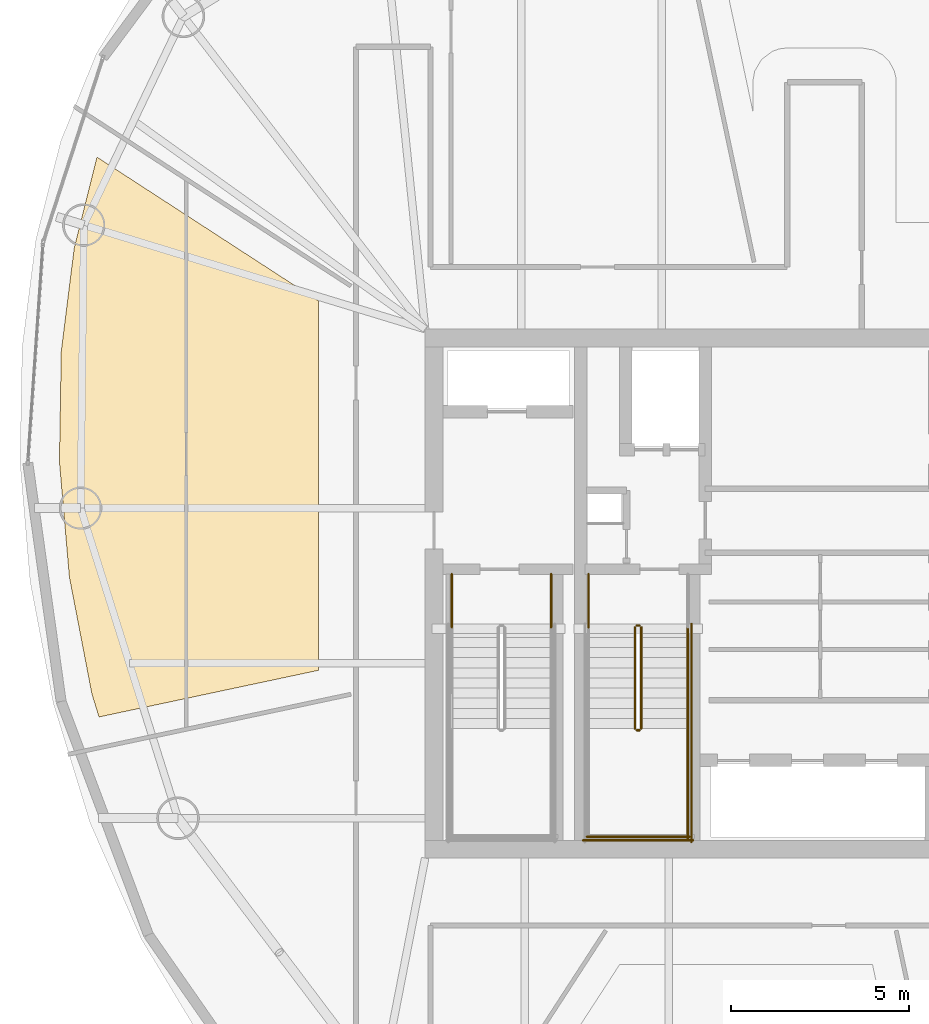
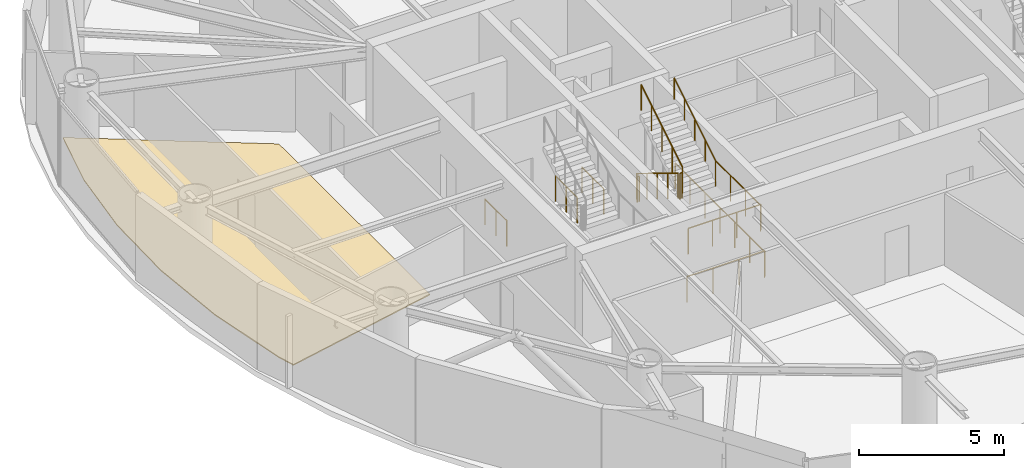
# One storey, part 20 of 22: 12 railings, 1 covering.
"""IFC4 building model written with IfcOpenShell, lengths in metres."""

from ifc_helpers import new_model, si_unit, direction, frame, origin, origin_2d, place, context, subcontext, project, spatial, polyline, circle, outline, extrude, material, layer, layer_set, type_object, element, save


model = new_model("IFC4")

# Units and contexts
model_context = context("Model", 3, precision=1e-05, world=origin(), true_north=direction((0.0, 1.0)))
body_context = subcontext(model_context, "Body", "Model", "MODEL_VIEW")
ifc_project = project(units=[si_unit("LENGTHUNIT", "METRE"), si_unit("AREAUNIT", "SQUARE_METRE"), si_unit("VOLUMEUNIT", "CUBIC_METRE"), si_unit("PLANEANGLEUNIT", "RADIAN"), si_unit("MASSUNIT", "GRAM", prefix="KILO")], contexts=[model_context])

# Site, building, storey
site_placement = place(None, origin())
site = spatial("IfcSite", under=ifc_project, at=site_placement, CompositionType="ELEMENT")
building_placement = place(site_placement, origin())
building = spatial("IfcBuilding", under=site, at=building_placement, Name="Bramvorn Convention Spire", CompositionType="ELEMENT")
storey_placement = place(building_placement, frame((0.0, 0.0, 221.25)))
storey = spatial("IfcBuildingStorey", under=building, at=storey_placement, Name="L56", CompositionType="ELEMENT", Elevation=221.25)

# Covering
ifc_material_1 = material(Name="Calcium-Sulphate Raised Access Office Floor", Category="steel")
ifc_layer = layer(ifc_material_1, 0.044921875)
ifc_layer_set = layer_set([ifc_layer], Name="Calcium-Sulphate Raised Access Office Floor - FLR-RAISED-45")
covering_type = type_object("IfcCoveringType", Name="FLR-RAISED-45", PredefinedType="FLOORING", material=ifc_layer_set)
covering_placement = place(storey_placement, origin())
element("IfcCovering", 1, at=covering_placement, inside=storey, type_object=covering_type, Name="L56 Associate Office Chamber 4 4 raised floor finish", PredefinedType="FLOORING", context=body_context, shape_type="SweptSolid", body=[
    extrude(outline(polyline([(17.36181640625, 23.180419921875), (17.56396484375, 22.525146484375), (23.75, 23.840087890625), (23.75, 34.240478515625), (17.5078125, 38.294189453125), (16.864501953125, 35.72607421875), (16.5, 32.822021484375), (16.448486328125, 29.7119140625), (16.72900390625, 26.4697265625), (17.36181640625, 23.180419921875)])), origin(), (0.0, 0.0, 1.0), 0.044921875),
])

# Railings
ifc_material_2 = material(Name="Painted Steel Balustrade & Guardrail", Category="steel")
railing_type_1 = type_object("IfcRailingType", Name="RL-STAIR-GUARD-1100", PredefinedType="GUARDRAIL", material=ifc_material_2)
for number, where, name in (
    (2, (27.5, 26.550048828125, 0.0), "L56 ST1 stair guard 8"),
    (3, (30.300048828125, 26.550048828125, 0.0), "L56 ST1 stair guard 9"),
):
    element("IfcRailing", number, at=place(storey_placement, frame(where)), inside=storey, type_object=railing_type_1, Name=name, PredefinedType="GUARDRAIL", context=body_context, shape_type="SweptSolid", body=[
        extrude(circle(Radius=0.02392578125, at=origin_2d()), frame((0.0, 0.0, 1.076171875), z_axis=(0.0, -1.0, 0.0), x_axis=(1.0, 0.0, 0.0)), (0.0, 0.0, 1.0), 1.5),
        extrude(circle(Radius=0.02099609375, at=origin_2d()), origin(), (0.0, 0.0, 1.0), 1.052001953125),
        extrude(circle(Radius=0.02099609375, at=origin_2d()), frame((0.0, -0.75, 0.0)), (0.0, 0.0, 1.0), 1.052001953125),
        extrude(circle(Radius=0.02099609375, at=origin_2d()), frame((0.0, -1.5, 0.0)), (0.0, 0.0, 1.0), 1.052001953125),
    ])
railing_1_placement = place(storey_placement, frame((32.659912109375, 25.050048828125, 0.175048828125)))
element("IfcRailing", 4, at=railing_1_placement, inside=storey, type_object=railing_type_1, Name="L56 ST3 stair guard 1", PredefinedType="GUARDRAIL", context=body_context, shape_type="SweptSolid", body=[
    extrude(circle(Radius=0.02392578125, at=origin_2d()), frame((0.0, 0.0, 1.076171875), z_axis=(0.0, -0.852179220489, 0.52325001306), x_axis=(1.0, 0.0, 0.0)), (0.0, 0.0, 1.0), 3.344482421875),
    extrude(circle(Radius=0.02099609375, at=origin_2d()), origin(), (0.0, 0.0, 1.0), 1.052001953125),
    extrude(circle(Radius=0.02099609375, at=origin_2d()), frame((0.0, -0.71240234375, 0.4375)), (0.0, 0.0, 1.0), 1.052001953125),
    extrude(circle(Radius=0.02099609375, at=origin_2d()), frame((0.0, -1.425048828125, 0.875)), (0.0, 0.0, 1.0), 1.052001953125),
    extrude(circle(Radius=0.02099609375, at=origin_2d()), frame((0.0, -2.1376953125, 1.3125)), (0.0, 0.0, 1.0), 1.052001953125),
    extrude(circle(Radius=0.02099609375, at=origin_2d()), frame((0.0, -2.85009765625, 1.75)), (0.0, 0.0, 1.0), 1.052001953125),
])
railing_2_placement = place(storey_placement, frame((32.7099609375, 22.14990234375, 1.925048828125)))
element("IfcRailing", 5, at=railing_2_placement, inside=storey, type_object=railing_type_1, Name="L56 ST3 stair guard 2", PredefinedType="GUARDRAIL", context=body_context, shape_type="SweptSolid", body=[
    extrude(circle(Radius=0.02392578125, at=origin_2d()), frame((0.0, 0.0, 1.076171875), z_axis=(1.0, 0.0, 0.0), x_axis=(0.0, 1.0, 0.0)), (0.0, 0.0, 1.0), 0.080078125),
    extrude(circle(Radius=0.02099609375, at=origin_2d()), origin(), (0.0, 0.0, 1.0), 1.052001953125),
    extrude(circle(Radius=0.02099609375, at=origin_2d()), frame((0.080078125, 0.0, 0.0)), (0.0, 0.0, 1.0), 1.052001953125),
])
railing_3_placement = place(storey_placement, frame((34.14990234375, 22.199951171875, 1.925048828125)))
element("IfcRailing", 6, at=railing_3_placement, inside=storey, type_object=railing_type_1, Name="L56 ST3 stair guard 4", PredefinedType="GUARDRAIL", context=body_context, shape_type="SweptSolid", body=[
    extrude(circle(Radius=0.02392578125, at=origin_2d()), frame((0.0, 0.0, 1.076171875), z_axis=(0.0, -1.0, 0.0), x_axis=(1.0, 0.0, 0.0)), (0.0, 0.0, 1.0), 3.099853515625),
    extrude(circle(Radius=0.02099609375, at=origin_2d()), origin(), (0.0, 0.0, 1.0), 1.052001953125),
    extrude(circle(Radius=0.02099609375, at=origin_2d()), frame((0.0, -1.033203125, 0.0)), (0.0, 0.0, 1.0), 1.052001953125),
    extrude(circle(Radius=0.02099609375, at=origin_2d()), frame((0.0, -2.066650390625, 0.0)), (0.0, 0.0, 1.0), 1.052001953125),
    extrude(circle(Radius=0.02099609375, at=origin_2d()), frame((0.0, -3.099853515625, 0.0)), (0.0, 0.0, 1.0), 1.052001953125),
])
railing_4_placement = place(storey_placement, frame((31.300048828125, 19.14990234375, 1.925048828125)))
element("IfcRailing", 7, at=railing_4_placement, inside=storey, type_object=railing_type_1, Name="L56 ST3 stair guard 5", PredefinedType="GUARDRAIL", context=body_context, shape_type="SweptSolid", body=[
    extrude(circle(Radius=0.02392578125, at=origin_2d()), frame((0.0, 0.0, 1.076171875), z_axis=(1.0, 0.0, 0.0), x_axis=(0.0, 1.0, 0.0)), (0.0, 0.0, 1.0), 2.89990234375),
    extrude(circle(Radius=0.02099609375, at=origin_2d()), origin(), (0.0, 0.0, 1.0), 1.052001953125),
    extrude(circle(Radius=0.02099609375, at=origin_2d()), frame((0.966552734375, 0.0, 0.0)), (0.0, 0.0, 1.0), 1.052001953125),
    extrude(circle(Radius=0.02099609375, at=origin_2d()), frame((1.933349609375, 0.0, 0.0)), (0.0, 0.0, 1.0), 1.052001953125),
    extrude(circle(Radius=0.02099609375, at=origin_2d()), frame((2.89990234375, 0.0, 0.0)), (0.0, 0.0, 1.0), 1.052001953125),
])
railing_5_placement = place(storey_placement, frame((32.840087890625, 22.199951171875, 2.10009765625)))
element("IfcRailing", 8, at=railing_5_placement, inside=storey, type_object=railing_type_1, Name="L56 ST3 stair guard 6", PredefinedType="GUARDRAIL", context=body_context, shape_type="SweptSolid", body=[
    extrude(circle(Radius=0.02392578125, at=origin_2d()), frame((0.0, 0.0, 1.076171875), z_axis=(0.0, 0.852179220489, 0.52325001306), x_axis=(-1.0, 0.0, 0.0)), (0.0, 0.0, 1.0), 3.344482421875),
    extrude(circle(Radius=0.02099609375, at=origin_2d()), origin(), (0.0, 0.0, 1.0), 1.052001953125),
    extrude(circle(Radius=0.02099609375, at=origin_2d()), frame((0.0, 0.71240234375, 0.4375)), (0.0, 0.0, 1.0), 1.052001953125),
    extrude(circle(Radius=0.02099609375, at=origin_2d()), frame((0.0, 1.425048828125, 0.875)), (0.0, 0.0, 1.0), 1.052001953125),
    extrude(circle(Radius=0.02099609375, at=origin_2d()), frame((0.0, 2.1376953125, 1.3125)), (0.0, 0.0, 1.0), 1.052001953125),
    extrude(circle(Radius=0.02099609375, at=origin_2d()), frame((0.0, 2.85009765625, 1.75)), (0.0, 0.0, 1.0), 1.052001953125),
])
railing_6_placement = place(storey_placement, frame((32.7099609375, 25.10009765625, 0.0)))
element("IfcRailing", 9, at=railing_6_placement, inside=storey, type_object=railing_type_1, Name="L56 ST3 stair guard 7", PredefinedType="GUARDRAIL", context=body_context, shape_type="SweptSolid", body=[
    extrude(circle(Radius=0.02392578125, at=origin_2d()), frame((0.0, 0.0, 1.076171875), z_axis=(1.0, 0.0, 0.0), x_axis=(0.0, 1.0, 0.0)), (0.0, 0.0, 1.0), 0.080078125),
    extrude(circle(Radius=0.02099609375, at=origin_2d()), origin(), (0.0, 0.0, 1.0), 1.052001953125),
    extrude(circle(Radius=0.02099609375, at=origin_2d()), frame((0.080078125, 0.0, 0.0)), (0.0, 0.0, 1.0), 1.052001953125),
])
railing_7_placement = place(storey_placement, frame((31.35009765625, 26.550048828125, 0.0)))
element("IfcRailing", 10, at=railing_7_placement, inside=storey, type_object=railing_type_1, Name="L56 ST3 stair guard 8", PredefinedType="GUARDRAIL", context=body_context, shape_type="SweptSolid", body=[
    extrude(circle(Radius=0.02392578125, at=origin_2d()), frame((0.0, 0.0, 1.076171875), z_axis=(0.0, -1.0, 0.0), x_axis=(1.0, 0.0, 0.0)), (0.0, 0.0, 1.0), 1.5),
    extrude(circle(Radius=0.02099609375, at=origin_2d()), origin(), (0.0, 0.0, 1.0), 1.052001953125),
    extrude(circle(Radius=0.02099609375, at=origin_2d()), frame((0.0, -0.75, 0.0)), (0.0, 0.0, 1.0), 1.052001953125),
    extrude(circle(Radius=0.02099609375, at=origin_2d()), frame((0.0, -1.5, 0.0)), (0.0, 0.0, 1.0), 1.052001953125),
])
railing_8_placement = place(storey_placement, frame((34.25, 25.14990234375, 0.0)))
element("IfcRailing", 11, at=railing_8_placement, inside=storey, type_object=railing_type_1, Name="L56 ST3 stair guard 11", PredefinedType="GUARDRAIL", context=body_context, shape_type="SweptSolid", body=[
    extrude(circle(Radius=0.02392578125, at=origin_2d()), frame((0.0, 0.0, 1.076171875), z_axis=(0.0, -1.0, 0.0), x_axis=(1.0, 0.0, 0.0)), (0.0, 0.0, 1.0), 6.14990234375),
    extrude(circle(Radius=0.02099609375, at=origin_2d()), origin(), (0.0, 0.0, 1.0), 1.052001953125),
    extrude(circle(Radius=0.02099609375, at=origin_2d()), frame((0.0, -1.02490234375, 0.0)), (0.0, 0.0, 1.0), 1.052001953125),
    extrude(circle(Radius=0.02099609375, at=origin_2d()), frame((0.0, -2.050048828125, 0.0)), (0.0, 0.0, 1.0), 1.052001953125),
    extrude(circle(Radius=0.02099609375, at=origin_2d()), frame((0.0, -3.074951171875, 0.0)), (0.0, 0.0, 1.0), 1.052001953125),
    extrude(circle(Radius=0.02099609375, at=origin_2d()), frame((0.0, -4.099853515625, 0.0)), (0.0, 0.0, 1.0), 1.052001953125),
    extrude(circle(Radius=0.02099609375, at=origin_2d()), frame((0.0, -5.125, 0.0)), (0.0, 0.0, 1.0), 1.052001953125),
    extrude(circle(Radius=0.02099609375, at=origin_2d()), frame((0.0, -6.14990234375, 0.0)), (0.0, 0.0, 1.0), 1.052001953125),
])
railing_9_placement = place(storey_placement, frame((31.199951171875, 19.050048828125, 0.0)))
element("IfcRailing", 12, at=railing_9_placement, inside=storey, type_object=railing_type_1, Name="L56 ST3 stair guard 12", PredefinedType="GUARDRAIL", context=body_context, shape_type="SweptSolid", body=[
    extrude(circle(Radius=0.02392578125, at=origin_2d()), frame((0.0, 0.0, 1.076171875), z_axis=(1.0, 0.0, 0.0), x_axis=(0.0, 1.0, 0.0)), (0.0, 0.0, 1.0), 3.10009765625),
    extrude(circle(Radius=0.02099609375, at=origin_2d()), origin(), (0.0, 0.0, 1.0), 1.052001953125),
    extrude(circle(Radius=0.02099609375, at=origin_2d()), frame((1.033447265625, 0.0, 0.0)), (0.0, 0.0, 1.0), 1.052001953125),
    extrude(circle(Radius=0.02099609375, at=origin_2d()), frame((2.066650390625, 0.0, 0.0)), (0.0, 0.0, 1.0), 1.052001953125),
    extrude(circle(Radius=0.02099609375, at=origin_2d()), frame((3.10009765625, 0.0, 0.0)), (0.0, 0.0, 1.0), 1.052001953125),
])
ifc_material_3 = material(Name="Brushed Bronze Tubular Handrail", Category="aluminium")
railing_type_2 = type_object("IfcRailingType", Name="RL-STAIR-HR-920", PredefinedType="HANDRAIL", material=ifc_material_3)
railing_10_placement = place(storey_placement, frame((34.14990234375, 22.199951171875, 2.10009765625)))
element("IfcRailing", 13, at=railing_10_placement, inside=storey, type_object=railing_type_2, Name="L56 ST3 stair handrail 2", PredefinedType="HANDRAIL", context=body_context, shape_type="SweptSolid", body=[
    extrude(circle(Radius=0.02392578125, at=origin_2d()), frame((0.0, 0.0, 0.89599609375), z_axis=(0.0, 0.852179220489, 0.52325001306), x_axis=(-1.0, 0.0, 0.0)), (0.0, 0.0, 1.0), 3.344482421875),
    extrude(circle(Radius=0.02099609375, at=origin_2d()), origin(), (0.0, 0.0, 1.0), 0.871826171875),
    extrude(circle(Radius=0.02099609375, at=origin_2d()), frame((0.0, 0.71240234375, 0.4375)), (0.0, 0.0, 1.0), 0.871826171875),
    extrude(circle(Radius=0.02099609375, at=origin_2d()), frame((0.0, 1.425048828125, 0.875)), (0.0, 0.0, 1.0), 0.871826171875),
    extrude(circle(Radius=0.02099609375, at=origin_2d()), frame((0.0, 2.1376953125, 1.3125)), (0.0, 0.0, 1.0), 0.871826171875),
    extrude(circle(Radius=0.02099609375, at=origin_2d()), frame((0.0, 2.85009765625, 1.75)), (0.0, 0.0, 1.0), 0.871826171875),
])

save(model, "model.ifc")
